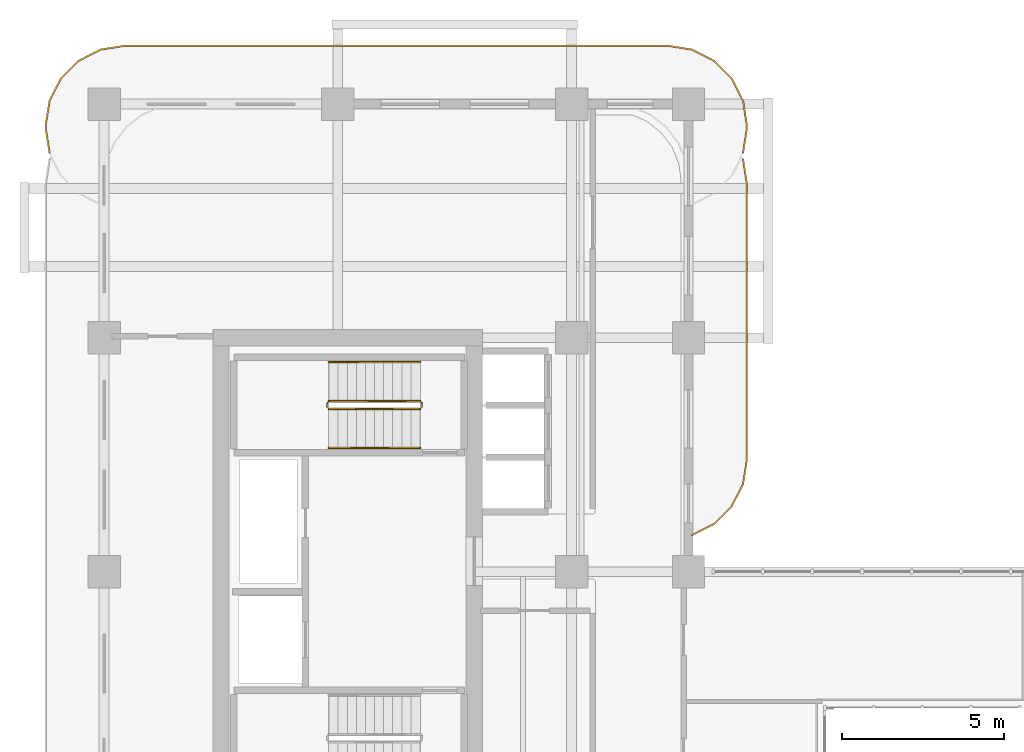
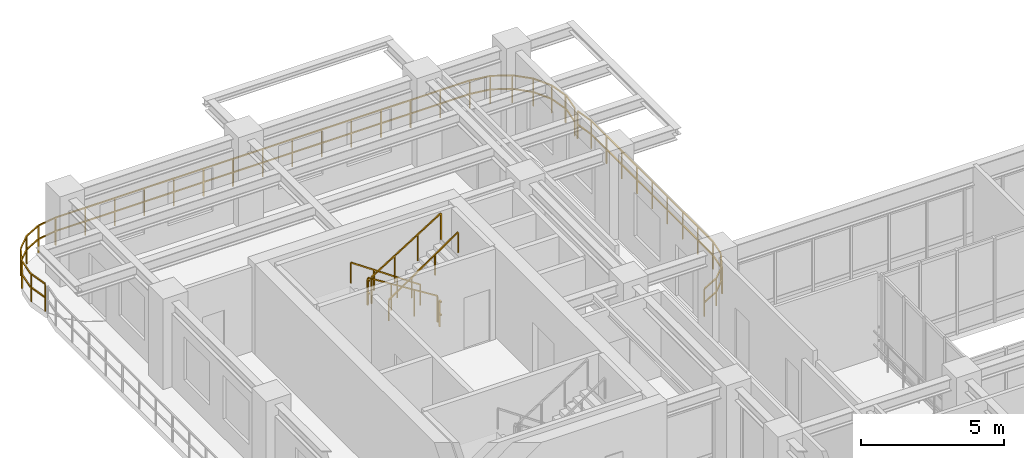
# One storey, part 19 of 19: 8 railings.
"""IFC4 building model written with IfcOpenShell, lengths in metres."""

from ifc_helpers import new_model, si_unit, derived_unit, direction, frame, origin, origin_2d, place, context, subcontext, project, spatial, rectangle, extrude, material, type_object, element, save


model = new_model("IFC4")

# Units and contexts
model_context = context("Model", 3, precision=1e-05, world=origin(), true_north=direction((0.0, 1.0)))
body_context = subcontext(model_context, "Body", "Model", "MODEL_VIEW")
ifc_project = project(units=[si_unit("LENGTHUNIT", "METRE"), si_unit("AREAUNIT", "SQUARE_METRE"), si_unit("VOLUMEUNIT", "CUBIC_METRE"), si_unit("PLANEANGLEUNIT", "RADIAN"), si_unit("MASSUNIT", "GRAM", prefix="KILO"), si_unit("THERMODYNAMICTEMPERATUREUNIT", "KELVIN"), si_unit("POWERUNIT", "WATT"), derived_unit("THERMALTRANSMITTANCEUNIT", [(si_unit("POWERUNIT", "WATT"), 1), (si_unit("AREAUNIT", "SQUARE_METRE"), -1), (si_unit("THERMODYNAMICTEMPERATUREUNIT", "KELVIN"), -1)])], contexts=[model_context])

# Site, building, storey
site_placement = place(None, origin())
site = spatial("IfcSite", under=ifc_project, at=site_placement, CompositionType="ELEMENT")
building_placement = place(site_placement, origin())
building = spatial("IfcBuilding", under=site, at=building_placement, Name="Zahravan Archway Hotel and Residences", CompositionType="ELEMENT")
storey_placement = place(building_placement, frame((0.0, 0.0, 150.300048828125)))
storey = spatial("IfcBuildingStorey", under=building, at=storey_placement, Name="L37", CompositionType="ELEMENT", Elevation=150.300048828125)

# Railings
ifc_material_1 = material(Name="Bronze & Laminated Glass Balustrade", Category="glass")
railing_type_1 = type_object("IfcRailingType", Name="RL-BAL-1200", PredefinedType="BALUSTRADE", material=ifc_material_1)
railing_1_placement = place(storey_placement, frame((-1.68017578125, 45.29296875, 0.0)))
element("IfcRailing", 1, at=railing_1_placement, inside=storey, type_object=railing_type_1, Name="L37 Balustrade RL-SLB-BAL-L37-NB-1", PredefinedType="BALUSTRADE", context=body_context, shape_type="SweptSolid", body=[
    extrude(rectangle(XDim=0.048095703125, YDim=0.048095703125, at=origin_2d()), frame((0.0, 0.0, 1.17578125), z_axis=(-0.156387811283, 0.987695728695, 0.0), x_axis=(-0.987695728695, -0.156387811283, 0.0)), (0.0, 0.0, 1.0), 0.7666015625),
    extrude(rectangle(XDim=0.048095703125, YDim=0.048095703125, at=origin_2d()), frame((0.0, 0.0, 0.60009765625), z_axis=(-0.156387811283, 0.987695728695, 0.0), x_axis=(-0.987695728695, -0.156387811283, 0.0)), (0.0, 0.0, 1.0), 0.7666015625),
    extrude(rectangle(XDim=0.048095703125, YDim=0.048095703125, at=origin_2d()), frame((-0.119873046875, 0.757080078125, 1.17578125), z_axis=(0.0, 1.0, 0.0), x_axis=(-1.0, 0.0, 0.0)), (0.0, 0.0, 1.0), 0.099853515625),
    extrude(rectangle(XDim=0.048095703125, YDim=0.048095703125, at=origin_2d()), frame((-0.119873046875, 0.757080078125, 0.60009765625), z_axis=(0.0, 1.0, 0.0), x_axis=(-1.0, 0.0, 0.0)), (0.0, 0.0, 1.0), 0.099853515625),
    extrude(rectangle(XDim=0.048095703125, YDim=0.048095703125, at=origin_2d()), frame((-0.119873046875, 0.85693359375, 1.17578125), z_axis=(0.156387811283, 0.987695728695, 0.0), x_axis=(-0.987695728695, 0.156387811283, 0.0)), (0.0, 0.0, 1.0), 0.7666015625),
    extrude(rectangle(XDim=0.048095703125, YDim=0.048095703125, at=origin_2d()), frame((-0.119873046875, 0.85693359375, 0.60009765625), z_axis=(0.156387811283, 0.987695728695, 0.0), x_axis=(-0.987695728695, 0.156387811283, 0.0)), (0.0, 0.0, 1.0), 0.7666015625),
    extrude(rectangle(XDim=0.048095703125, YDim=0.048095703125, at=origin_2d()), frame((0.0, 1.614013671875, 1.17578125), z_axis=(0.454078418624, 0.890961721815, 0.0), x_axis=(-0.890961721815, 0.454078418624, 0.0)), (0.0, 0.0, 1.0), 0.7666015625),
    extrude(rectangle(XDim=0.048095703125, YDim=0.048095703125, at=origin_2d()), frame((0.0, 1.614013671875, 0.60009765625), z_axis=(0.454078418624, 0.890961721815, 0.0), x_axis=(-0.890961721815, 0.454078418624, 0.0)), (0.0, 0.0, 1.0), 0.7666015625),
    extrude(rectangle(XDim=0.048095703125, YDim=0.048095703125, at=origin_2d()), frame((0.34814453125, 2.297119140625, 1.17578125), z_axis=(0.707106781187, 0.707106781187, 0.0), x_axis=(-0.707106781187, 0.707106781187, 0.0)), (0.0, 0.0, 1.0), 0.7666015625),
    extrude(rectangle(XDim=0.048095703125, YDim=0.048095703125, at=origin_2d()), frame((0.34814453125, 2.297119140625, 0.60009765625), z_axis=(0.707106781187, 0.707106781187, 0.0), x_axis=(-0.707106781187, 0.707106781187, 0.0)), (0.0, 0.0, 1.0), 0.7666015625),
    extrude(rectangle(XDim=0.048095703125, YDim=0.048095703125, at=origin_2d()), frame((0.89013671875, 2.839111328125, 1.17578125), z_axis=(0.891024909783, 0.453954414172, 0.0), x_axis=(-0.453954414172, 0.891024909783, 0.0)), (0.0, 0.0, 1.0), 0.766357421875),
    extrude(rectangle(XDim=0.048095703125, YDim=0.048095703125, at=origin_2d()), frame((0.89013671875, 2.839111328125, 0.60009765625), z_axis=(0.891024909783, 0.453954414172, 0.0), x_axis=(-0.453954414172, 0.891024909783, 0.0)), (0.0, 0.0, 1.0), 0.766357421875),
    extrude(rectangle(XDim=0.048095703125, YDim=0.048095703125, at=origin_2d()), frame((1.572998046875, 3.18701171875, 1.17578125), z_axis=(0.987646484274, 0.156698507018, 0.0), x_axis=(-0.156698507018, 0.987646484274, 0.0)), (0.0, 0.0, 1.0), 0.7666015625),
    extrude(rectangle(XDim=0.048095703125, YDim=0.048095703125, at=origin_2d()), frame((1.572998046875, 3.18701171875, 0.60009765625), z_axis=(0.987646484274, 0.156698507018, 0.0), x_axis=(-0.156698507018, 0.987646484274, 0.0)), (0.0, 0.0, 1.0), 0.7666015625),
    extrude(rectangle(XDim=0.048095703125, YDim=0.048095703125, at=origin_2d()), frame((2.330078125, 3.30712890625, 1.17578125), z_axis=(1.0, 0.0, 0.0), x_axis=(0.0, 1.0, 0.0)), (0.0, 0.0, 1.0), 16.7001953125),
    extrude(rectangle(XDim=0.048095703125, YDim=0.048095703125, at=origin_2d()), frame((2.330078125, 3.30712890625, 0.60009765625), z_axis=(1.0, 0.0, 0.0), x_axis=(0.0, 1.0, 0.0)), (0.0, 0.0, 1.0), 16.7001953125),
    extrude(rectangle(XDim=0.048095703125, YDim=0.048095703125, at=origin_2d()), frame((19.0302734375, 3.30712890625, 1.17578125), z_axis=(0.987646484274, -0.156698507018, 0.0), x_axis=(0.156698507018, 0.987646484274, 0.0)), (0.0, 0.0, 1.0), 0.7666015625),
    extrude(rectangle(XDim=0.048095703125, YDim=0.048095703125, at=origin_2d()), frame((19.0302734375, 3.30712890625, 0.60009765625), z_axis=(0.987646484274, -0.156698507018, 0.0), x_axis=(0.156698507018, 0.987646484274, 0.0)), (0.0, 0.0, 1.0), 0.7666015625),
    extrude(rectangle(XDim=0.048095703125, YDim=0.048095703125, at=origin_2d()), frame((19.787353515625, 3.18701171875, 1.17578125), z_axis=(0.891024909783, -0.453954414172, 0.0), x_axis=(0.453954414172, 0.891024909783, 0.0)), (0.0, 0.0, 1.0), 0.766357421875),
    extrude(rectangle(XDim=0.048095703125, YDim=0.048095703125, at=origin_2d()), frame((19.787353515625, 3.18701171875, 0.60009765625), z_axis=(0.891024909783, -0.453954414172, 0.0), x_axis=(0.453954414172, 0.891024909783, 0.0)), (0.0, 0.0, 1.0), 0.766357421875),
    extrude(rectangle(XDim=0.048095703125, YDim=0.048095703125, at=origin_2d()), frame((20.47021484375, 2.839111328125, 1.17578125), z_axis=(0.707106781187, -0.707106781187, 0.0), x_axis=(0.707106781187, 0.707106781187, 0.0)), (0.0, 0.0, 1.0), 0.7666015625),
    extrude(rectangle(XDim=0.048095703125, YDim=0.048095703125, at=origin_2d()), frame((20.47021484375, 2.839111328125, 0.60009765625), z_axis=(0.707106781187, -0.707106781187, 0.0), x_axis=(0.707106781187, 0.707106781187, 0.0)), (0.0, 0.0, 1.0), 0.7666015625),
    extrude(rectangle(XDim=0.048095703125, YDim=0.048095703125, at=origin_2d()), frame((21.01220703125, 2.297119140625, 1.17578125), z_axis=(0.454078418624, -0.890961721815, 0.0), x_axis=(0.890961721815, 0.454078418624, 0.0)), (0.0, 0.0, 1.0), 0.7666015625),
    extrude(rectangle(XDim=0.048095703125, YDim=0.048095703125, at=origin_2d()), frame((21.01220703125, 2.297119140625, 0.60009765625), z_axis=(0.454078418624, -0.890961721815, 0.0), x_axis=(0.890961721815, 0.454078418624, 0.0)), (0.0, 0.0, 1.0), 0.7666015625),
    extrude(rectangle(XDim=0.048095703125, YDim=0.048095703125, at=origin_2d()), frame((21.3603515625, 1.614013671875, 1.17578125), z_axis=(0.156387811283, -0.987695728695, 0.0), x_axis=(0.987695728695, 0.156387811283, 0.0)), (0.0, 0.0, 1.0), 0.7666015625),
    extrude(rectangle(XDim=0.048095703125, YDim=0.048095703125, at=origin_2d()), frame((21.3603515625, 1.614013671875, 0.60009765625), z_axis=(0.156387811283, -0.987695728695, 0.0), x_axis=(0.987695728695, 0.156387811283, 0.0)), (0.0, 0.0, 1.0), 0.7666015625),
    extrude(rectangle(XDim=0.048095703125, YDim=0.048095703125, at=origin_2d()), frame((21.480224609375, 0.85693359375, 1.17578125), z_axis=(0.0, -1.0, 0.0), x_axis=(1.0, 0.0, 0.0)), (0.0, 0.0, 1.0), 0.099853515625),
    extrude(rectangle(XDim=0.048095703125, YDim=0.048095703125, at=origin_2d()), frame((21.480224609375, 0.85693359375, 0.60009765625), z_axis=(0.0, -1.0, 0.0), x_axis=(1.0, 0.0, 0.0)), (0.0, 0.0, 1.0), 0.099853515625),
    extrude(rectangle(XDim=0.048095703125, YDim=0.048095703125, at=origin_2d()), frame((21.480224609375, 0.757080078125, 1.17578125), z_axis=(-0.156387811283, -0.987695728695, 0.0), x_axis=(0.987695728695, -0.156387811283, 0.0)), (0.0, 0.0, 1.0), 0.7666015625),
    extrude(rectangle(XDim=0.048095703125, YDim=0.048095703125, at=origin_2d()), frame((21.480224609375, 0.757080078125, 0.60009765625), z_axis=(-0.156387811283, -0.987695728695, 0.0), x_axis=(0.987695728695, -0.156387811283, 0.0)), (0.0, 0.0, 1.0), 0.7666015625),
    extrude(rectangle(XDim=0.0419921875, YDim=0.0419921875, at=origin_2d()), origin(), (0.0, 0.0, 1.0), 1.15185546875),
    extrude(rectangle(XDim=0.0419921875, YDim=0.0419921875, at=origin_2d()), frame((-0.119873046875, 0.757080078125, 0.0)), (0.0, 0.0, 1.0), 1.15185546875),
    extrude(rectangle(XDim=0.0419921875, YDim=0.0419921875, at=origin_2d()), frame((0.0, 1.614013671875, 0.0)), (0.0, 0.0, 1.0), 1.15185546875),
    extrude(rectangle(XDim=0.0419921875, YDim=0.0419921875, at=origin_2d()), frame((0.34814453125, 2.297119140625, 0.0)), (0.0, 0.0, 1.0), 1.15185546875),
    extrude(rectangle(XDim=0.0419921875, YDim=0.0419921875, at=origin_2d()), frame((0.89013671875, 2.839111328125, 0.0)), (0.0, 0.0, 1.0), 1.15185546875),
    extrude(rectangle(XDim=0.0419921875, YDim=0.0419921875, at=origin_2d()), frame((1.572998046875, 3.18701171875, 0.0)), (0.0, 0.0, 1.0), 1.15185546875),
    extrude(rectangle(XDim=0.0419921875, YDim=0.0419921875, at=origin_2d()), frame((2.330078125, 3.30712890625, 0.0)), (0.0, 0.0, 1.0), 1.15185546875),
    extrude(rectangle(XDim=0.0419921875, YDim=0.0419921875, at=origin_2d()), frame((3.52294921875, 3.30712890625, 0.0)), (0.0, 0.0, 1.0), 1.15185546875),
    extrude(rectangle(XDim=0.0419921875, YDim=0.0419921875, at=origin_2d()), frame((4.7158203125, 3.30712890625, 0.0)), (0.0, 0.0, 1.0), 1.15185546875),
    extrude(rectangle(XDim=0.0419921875, YDim=0.0419921875, at=origin_2d()), frame((5.90869140625, 3.30712890625, 0.0)), (0.0, 0.0, 1.0), 1.15185546875),
    extrude(rectangle(XDim=0.0419921875, YDim=0.0419921875, at=origin_2d()), frame((7.1015625, 3.30712890625, 0.0)), (0.0, 0.0, 1.0), 1.15185546875),
    extrude(rectangle(XDim=0.0419921875, YDim=0.0419921875, at=origin_2d()), frame((8.29443359375, 3.30712890625, 0.0)), (0.0, 0.0, 1.0), 1.15185546875),
    extrude(rectangle(XDim=0.0419921875, YDim=0.0419921875, at=origin_2d()), frame((9.4873046875, 3.30712890625, 0.0)), (0.0, 0.0, 1.0), 1.15185546875),
    extrude(rectangle(XDim=0.0419921875, YDim=0.0419921875, at=origin_2d()), frame((10.68017578125, 3.30712890625, 0.0)), (0.0, 0.0, 1.0), 1.15185546875),
    extrude(rectangle(XDim=0.0419921875, YDim=0.0419921875, at=origin_2d()), frame((11.873046875, 3.30712890625, 0.0)), (0.0, 0.0, 1.0), 1.15185546875),
    extrude(rectangle(XDim=0.0419921875, YDim=0.0419921875, at=origin_2d()), frame((13.06591796875, 3.30712890625, 0.0)), (0.0, 0.0, 1.0), 1.15185546875),
    extrude(rectangle(XDim=0.0419921875, YDim=0.0419921875, at=origin_2d()), frame((14.2587890625, 3.30712890625, 0.0)), (0.0, 0.0, 1.0), 1.15185546875),
    extrude(rectangle(XDim=0.0419921875, YDim=0.0419921875, at=origin_2d()), frame((15.45166015625, 3.30712890625, 0.0)), (0.0, 0.0, 1.0), 1.15185546875),
    extrude(rectangle(XDim=0.0419921875, YDim=0.0419921875, at=origin_2d()), frame((16.64453125, 3.30712890625, 0.0)), (0.0, 0.0, 1.0), 1.15185546875),
    extrude(rectangle(XDim=0.0419921875, YDim=0.0419921875, at=origin_2d()), frame((17.83740234375, 3.30712890625, 0.0)), (0.0, 0.0, 1.0), 1.15185546875),
    extrude(rectangle(XDim=0.0419921875, YDim=0.0419921875, at=origin_2d()), frame((19.0302734375, 3.30712890625, 0.0)), (0.0, 0.0, 1.0), 1.15185546875),
    extrude(rectangle(XDim=0.0419921875, YDim=0.0419921875, at=origin_2d()), frame((19.787353515625, 3.18701171875, 0.0)), (0.0, 0.0, 1.0), 1.15185546875),
    extrude(rectangle(XDim=0.0419921875, YDim=0.0419921875, at=origin_2d()), frame((20.47021484375, 2.839111328125, 0.0)), (0.0, 0.0, 1.0), 1.15185546875),
    extrude(rectangle(XDim=0.0419921875, YDim=0.0419921875, at=origin_2d()), frame((21.01220703125, 2.297119140625, 0.0)), (0.0, 0.0, 1.0), 1.15185546875),
    extrude(rectangle(XDim=0.0419921875, YDim=0.0419921875, at=origin_2d()), frame((21.3603515625, 1.614013671875, 0.0)), (0.0, 0.0, 1.0), 1.15185546875),
    extrude(rectangle(XDim=0.0419921875, YDim=0.0419921875, at=origin_2d()), frame((21.480224609375, 0.85693359375, 0.0)), (0.0, 0.0, 1.0), 1.15185546875),
    extrude(rectangle(XDim=0.0419921875, YDim=0.0419921875, at=origin_2d()), frame((21.3603515625, 0.0, 0.0)), (0.0, 0.0, 1.0), 1.15185546875),
])
railing_2_placement = place(storey_placement, frame((19.68017578125, 45.107177734375, 0.0)))
element("IfcRailing", 2, at=railing_2_placement, inside=storey, type_object=railing_type_1, Name="L37 Balustrade RL-SLB-BAL-L37-EB-1", PredefinedType="BALUSTRADE", context=body_context, shape_type="SweptSolid", body=[
    extrude(rectangle(XDim=0.048095703125, YDim=0.048095703125, at=origin_2d()), frame((0.0, 0.0, 1.17578125), z_axis=(0.156387811283, -0.987695728695, 0.0), x_axis=(0.987695728695, 0.156387811283, 0.0)), (0.0, 0.0, 1.0), 0.7666015625),
    extrude(rectangle(XDim=0.048095703125, YDim=0.048095703125, at=origin_2d()), frame((0.0, 0.0, 0.60009765625), z_axis=(0.156387811283, -0.987695728695, 0.0), x_axis=(0.987695728695, 0.156387811283, 0.0)), (0.0, 0.0, 1.0), 0.7666015625),
    extrude(rectangle(XDim=0.048095703125, YDim=0.048095703125, at=origin_2d()), frame((0.119873046875, -0.757080078125, 1.17578125), z_axis=(0.0, -1.0, 0.0), x_axis=(1.0, 0.0, 0.0)), (0.0, 0.0, 1.0), 8.5),
    extrude(rectangle(XDim=0.048095703125, YDim=0.048095703125, at=origin_2d()), frame((0.119873046875, -0.757080078125, 0.60009765625), z_axis=(0.0, -1.0, 0.0), x_axis=(1.0, 0.0, 0.0)), (0.0, 0.0, 1.0), 8.5),
    extrude(rectangle(XDim=0.048095703125, YDim=0.048095703125, at=origin_2d()), frame((0.119873046875, -9.257080078125, 1.17578125), z_axis=(-0.156387811283, -0.987695728695, 0.0), x_axis=(0.987695728695, -0.156387811283, 0.0)), (0.0, 0.0, 1.0), 0.7666015625),
    extrude(rectangle(XDim=0.048095703125, YDim=0.048095703125, at=origin_2d()), frame((0.119873046875, -9.257080078125, 0.60009765625), z_axis=(-0.156387811283, -0.987695728695, 0.0), x_axis=(0.987695728695, -0.156387811283, 0.0)), (0.0, 0.0, 1.0), 0.7666015625),
    extrude(rectangle(XDim=0.048095703125, YDim=0.048095703125, at=origin_2d()), frame((0.0, -10.01416015625, 1.17578125), z_axis=(-0.454078418624, -0.890961721815, 0.0), x_axis=(0.890961721815, -0.454078418624, 0.0)), (0.0, 0.0, 1.0), 0.7666015625),
    extrude(rectangle(XDim=0.048095703125, YDim=0.048095703125, at=origin_2d()), frame((0.0, -10.01416015625, 0.60009765625), z_axis=(-0.454078418624, -0.890961721815, 0.0), x_axis=(0.890961721815, -0.454078418624, 0.0)), (0.0, 0.0, 1.0), 0.7666015625),
    extrude(rectangle(XDim=0.048095703125, YDim=0.048095703125, at=origin_2d()), frame((-0.34814453125, -10.697265625, 1.17578125), z_axis=(-0.707106781187, -0.707106781187, 0.0), x_axis=(0.707106781187, -0.707106781187, 0.0)), (0.0, 0.0, 1.0), 0.7666015625),
    extrude(rectangle(XDim=0.048095703125, YDim=0.048095703125, at=origin_2d()), frame((-0.34814453125, -10.697265625, 0.60009765625), z_axis=(-0.707106781187, -0.707106781187, 0.0), x_axis=(0.707106781187, -0.707106781187, 0.0)), (0.0, 0.0, 1.0), 0.7666015625),
    extrude(rectangle(XDim=0.048095703125, YDim=0.048095703125, at=origin_2d()), frame((-0.89013671875, -11.2392578125, 1.17578125), z_axis=(-0.891024909783, -0.453954414172, 0.0), x_axis=(0.453954414172, -0.891024909783, 0.0)), (0.0, 0.0, 1.0), 0.766357421875),
    extrude(rectangle(XDim=0.048095703125, YDim=0.048095703125, at=origin_2d()), frame((-0.89013671875, -11.2392578125, 0.60009765625), z_axis=(-0.891024909783, -0.453954414172, 0.0), x_axis=(0.453954414172, -0.891024909783, 0.0)), (0.0, 0.0, 1.0), 0.766357421875),
    extrude(rectangle(XDim=0.0419921875, YDim=0.0419921875, at=origin_2d()), origin(), (0.0, 0.0, 1.0), 1.15185546875),
    extrude(rectangle(XDim=0.0419921875, YDim=0.0419921875, at=origin_2d()), frame((0.119873046875, -0.757080078125, 0.0)), (0.0, 0.0, 1.0), 1.15185546875),
    extrude(rectangle(XDim=0.0419921875, YDim=0.0419921875, at=origin_2d()), frame((0.119873046875, -1.819580078125, 0.0)), (0.0, 0.0, 1.0), 1.15185546875),
    extrude(rectangle(XDim=0.0419921875, YDim=0.0419921875, at=origin_2d()), frame((0.119873046875, -2.882080078125, 0.0)), (0.0, 0.0, 1.0), 1.15185546875),
    extrude(rectangle(XDim=0.0419921875, YDim=0.0419921875, at=origin_2d()), frame((0.119873046875, -3.944580078125, 0.0)), (0.0, 0.0, 1.0), 1.15185546875),
    extrude(rectangle(XDim=0.0419921875, YDim=0.0419921875, at=origin_2d()), frame((0.119873046875, -5.007080078125, 0.0)), (0.0, 0.0, 1.0), 1.15185546875),
    extrude(rectangle(XDim=0.0419921875, YDim=0.0419921875, at=origin_2d()), frame((0.119873046875, -6.069580078125, 0.0)), (0.0, 0.0, 1.0), 1.15185546875),
    extrude(rectangle(XDim=0.0419921875, YDim=0.0419921875, at=origin_2d()), frame((0.119873046875, -7.132080078125, 0.0)), (0.0, 0.0, 1.0), 1.15185546875),
    extrude(rectangle(XDim=0.0419921875, YDim=0.0419921875, at=origin_2d()), frame((0.119873046875, -8.194580078125, 0.0)), (0.0, 0.0, 1.0), 1.15185546875),
    extrude(rectangle(XDim=0.0419921875, YDim=0.0419921875, at=origin_2d()), frame((0.119873046875, -9.257080078125, 0.0)), (0.0, 0.0, 1.0), 1.15185546875),
    extrude(rectangle(XDim=0.0419921875, YDim=0.0419921875, at=origin_2d()), frame((0.0, -10.01416015625, 0.0)), (0.0, 0.0, 1.0), 1.15185546875),
    extrude(rectangle(XDim=0.0419921875, YDim=0.0419921875, at=origin_2d()), frame((-0.34814453125, -10.697265625, 0.0)), (0.0, 0.0, 1.0), 1.15185546875),
    extrude(rectangle(XDim=0.0419921875, YDim=0.0419921875, at=origin_2d()), frame((-0.89013671875, -11.2392578125, 0.0)), (0.0, 0.0, 1.0), 1.15185546875),
    extrude(rectangle(XDim=0.0419921875, YDim=0.0419921875, at=origin_2d()), frame((-1.572998046875, -11.587158203125, 0.0)), (0.0, 0.0, 1.0), 1.15185546875),
])
ifc_material_2 = material(Name="Painted Tubular Steel", Category="steel")
railing_type_2 = type_object("IfcRailingType", Name="RL-STG-1150", PredefinedType="GUARDRAIL", material=ifc_material_2)
railing_3_placement = place(storey_placement, frame((9.72998046875, 37.64990234375, 0.175048828125)))
element("IfcRailing", 3, at=railing_3_placement, inside=storey, type_object=railing_type_2, Name="L37 ST-B2 stair guard 1", PredefinedType="GUARDRAIL", context=body_context, shape_type="SweptSolid", body=[
    extrude(rectangle(XDim=0.048095703125, YDim=0.048095703125, at=origin_2d()), frame((0.0, 0.0, 1.1259765625), z_axis=(-0.848002457836, 0.0, 0.529992293815), x_axis=(0.0, -1.0, 0.0)), (0.0, 0.0, 1.0), 3.302001953125),
    extrude(rectangle(XDim=0.0419921875, YDim=0.0419921875, at=origin_2d()), origin(), (0.0, 0.0, 1.0), 1.101806640625),
    extrude(rectangle(XDim=0.0419921875, YDim=0.0419921875, at=origin_2d()), frame((-0.933349609375, 0.0, 0.583251953125)), (0.0, 0.0, 1.0), 1.101806640625),
    extrude(rectangle(XDim=0.0419921875, YDim=0.0419921875, at=origin_2d()), frame((-1.86669921875, 0.0, 1.166748046875)), (0.0, 0.0, 1.0), 1.101806640625),
    extrude(rectangle(XDim=0.0419921875, YDim=0.0419921875, at=origin_2d()), frame((-2.800048828125, 0.0, 1.75)), (0.0, 0.0, 1.0), 1.101806640625),
])
railing_4_placement = place(storey_placement, frame((6.8798828125, 37.60009765625, 1.925048828125)))
element("IfcRailing", 4, at=railing_4_placement, inside=storey, type_object=railing_type_2, Name="L37 ST-B2 stair guard 2", PredefinedType="GUARDRAIL", context=body_context, shape_type="SweptSolid", body=[
    extrude(rectangle(XDim=0.048095703125, YDim=0.048095703125, at=origin_2d()), frame((0.0, 0.0, 1.1259765625), z_axis=(0.0, -1.0, 0.0), x_axis=(1.0, 0.0, 0.0)), (0.0, 0.0, 1.0), 0.14013671875),
    extrude(rectangle(XDim=0.048095703125, YDim=0.048095703125, at=origin_2d()), frame((0.0, 0.0, 0.574951171875), z_axis=(0.0, -1.0, 0.0), x_axis=(1.0, 0.0, 0.0)), (0.0, 0.0, 1.0), 0.14013671875),
    extrude(rectangle(XDim=0.0419921875, YDim=0.0419921875, at=origin_2d()), origin(), (0.0, 0.0, 1.0), 1.101806640625),
])
railing_5_placement = place(storey_placement, frame((6.929931640625, 37.409912109375, 2.099853515625)))
element("IfcRailing", 5, at=railing_5_placement, inside=storey, type_object=railing_type_2, Name="L37 ST-B2 stair guard 3", PredefinedType="GUARDRAIL", context=body_context, shape_type="SweptSolid", body=[
    extrude(rectangle(XDim=0.048095703125, YDim=0.048095703125, at=origin_2d()), frame((0.0, 0.0, 1.1259765625), z_axis=(0.848002457836, 0.0, 0.529992293815), x_axis=(0.0, 1.0, 0.0)), (0.0, 0.0, 1.0), 3.302001953125),
    extrude(rectangle(XDim=0.0419921875, YDim=0.0419921875, at=origin_2d()), origin(), (0.0, 0.0, 1.0), 1.101806640625),
    extrude(rectangle(XDim=0.0419921875, YDim=0.0419921875, at=origin_2d()), frame((0.933349609375, 0.0, 0.583251953125)), (0.0, 0.0, 1.0), 1.101806640625),
    extrude(rectangle(XDim=0.0419921875, YDim=0.0419921875, at=origin_2d()), frame((1.86669921875, 0.0, 1.166748046875)), (0.0, 0.0, 1.0), 1.101806640625),
    extrude(rectangle(XDim=0.0419921875, YDim=0.0419921875, at=origin_2d()), frame((2.800048828125, 0.0, 1.75)), (0.0, 0.0, 1.0), 1.101806640625),
])
railing_6_placement = place(storey_placement, frame((9.780029296875, 37.60009765625, 0.0)))
element("IfcRailing", 6, at=railing_6_placement, inside=storey, type_object=railing_type_2, Name="L37 ST-B2 stair guard 4", PredefinedType="GUARDRAIL", context=body_context, shape_type="SweptSolid", body=[
    extrude(rectangle(XDim=0.048095703125, YDim=0.048095703125, at=origin_2d()), frame((0.0, 0.0, 1.1259765625), z_axis=(0.0, -1.0, 0.0), x_axis=(1.0, 0.0, 0.0)), (0.0, 0.0, 1.0), 0.14013671875),
    extrude(rectangle(XDim=0.048095703125, YDim=0.048095703125, at=origin_2d()), frame((0.0, 0.0, 0.574951171875), z_axis=(0.0, -1.0, 0.0), x_axis=(1.0, 0.0, 0.0)), (0.0, 0.0, 1.0), 0.14013671875),
    extrude(rectangle(XDim=0.0419921875, YDim=0.0419921875, at=origin_2d()), origin(), (0.0, 0.0, 1.0), 1.101806640625),
])
ifc_material_3 = material(Name="Brushed Stainless Steel", Category="steel")
railing_type_3 = type_object("IfcRailingType", Name="RL-STH-900", PredefinedType="HANDRAIL", material=ifc_material_3)
railing_7_placement = place(storey_placement, frame((9.72998046875, 38.85009765625, 0.175048828125)))
element("IfcRailing", 7, at=railing_7_placement, inside=storey, type_object=railing_type_3, Name="L37 ST-B2 stair handrail 1", PredefinedType="HANDRAIL", context=body_context, shape_type="SweptSolid", body=[
    extrude(rectangle(XDim=0.048095703125, YDim=0.048095703125, at=origin_2d()), frame((0.0, 0.0, 0.8759765625), z_axis=(-0.824073370198, 0.0, 0.566483080534), x_axis=(0.0, -1.0, 0.0)), (0.0, 0.0, 1.0), 3.397705078125),
    extrude(rectangle(XDim=0.0419921875, YDim=0.0419921875, at=origin_2d()), origin(), (0.0, 0.0, 1.0), 0.851806640625),
    extrude(rectangle(XDim=0.0419921875, YDim=0.0419921875, at=origin_2d()), frame((-0.933349609375, 0.0, 0.6416015625)), (0.0, 0.0, 1.0), 0.851806640625),
    extrude(rectangle(XDim=0.0419921875, YDim=0.0419921875, at=origin_2d()), frame((-1.86669921875, 0.0, 1.283203125)), (0.0, 0.0, 1.0), 0.851806640625),
    extrude(rectangle(XDim=0.0419921875, YDim=0.0419921875, at=origin_2d()), frame((-2.800048828125, 0.0, 1.9248046875)), (0.0, 0.0, 1.0), 0.851806640625),
])
railing_8_placement = place(storey_placement, frame((6.929931640625, 36.2099609375, 2.099853515625)))
element("IfcRailing", 8, at=railing_8_placement, inside=storey, type_object=railing_type_3, Name="L37 ST-B2 stair handrail 2", PredefinedType="HANDRAIL", context=body_context, shape_type="SweptSolid", body=[
    extrude(rectangle(XDim=0.048095703125, YDim=0.048095703125, at=origin_2d()), frame((0.0, 0.0, 0.8759765625), z_axis=(0.824039827795, 0.0, 0.566531872191), x_axis=(0.0, 1.0, 0.0)), (0.0, 0.0, 1.0), 3.39794921875),
    extrude(rectangle(XDim=0.0419921875, YDim=0.0419921875, at=origin_2d()), origin(), (0.0, 0.0, 1.0), 0.851806640625),
    extrude(rectangle(XDim=0.0419921875, YDim=0.0419921875, at=origin_2d()), frame((0.933349609375, 0.0, 0.6416015625)), (0.0, 0.0, 1.0), 0.851806640625),
    extrude(rectangle(XDim=0.0419921875, YDim=0.0419921875, at=origin_2d()), frame((1.86669921875, 0.0, 1.283447265625)), (0.0, 0.0, 1.0), 0.851806640625),
    extrude(rectangle(XDim=0.0419921875, YDim=0.0419921875, at=origin_2d()), frame((2.800048828125, 0.0, 1.925048828125)), (0.0, 0.0, 1.0), 0.851806640625),
])

save(model, "model.ifc")
